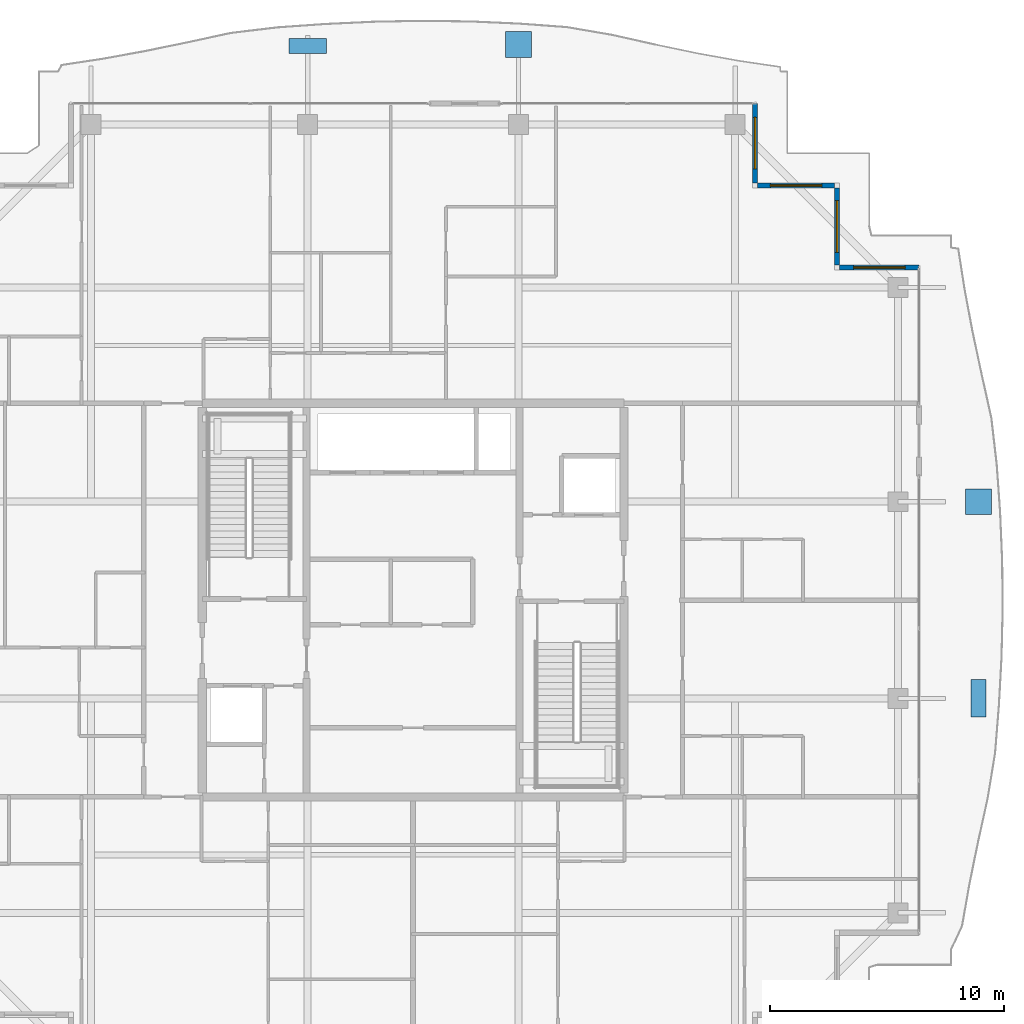
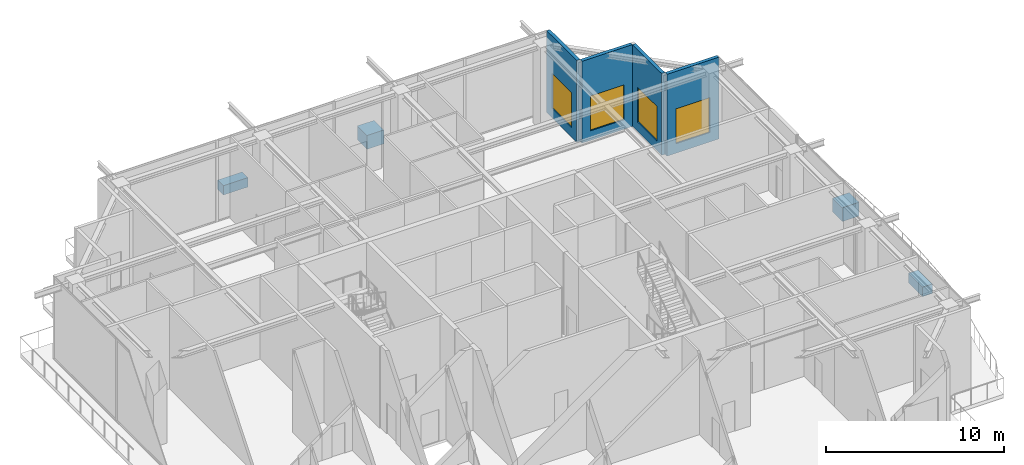
# One storey, part 31 of 40: 4 discrete accessories, 4 walls, 4 windows, 4 openings.
"""IFC4 building model written with IfcOpenShell, lengths in metres."""

from ifc_helpers import new_model, si_unit, direction, frame, frame_2d, origin, origin_2d, place, context, subcontext, project, spatial, rectangle, extrude, source, transform, mapped, material, layer, layer_set, type_object, element, fill, save


model = new_model("IFC4")

# Units and contexts
model_context = context("Model", 3, precision=1e-05, world=origin(), true_north=direction((0.0, 1.0)))
body_context = subcontext(model_context, "Body", "Model", "MODEL_VIEW")
ifc_project = project(units=[si_unit("LENGTHUNIT", "METRE"), si_unit("AREAUNIT", "SQUARE_METRE"), si_unit("VOLUMEUNIT", "CUBIC_METRE"), si_unit("PLANEANGLEUNIT", "RADIAN"), si_unit("MASSUNIT", "GRAM", prefix="KILO")], contexts=[model_context])

# Site, building, storey
site_placement = place(None, origin())
site = spatial("IfcSite", under=ifc_project, at=site_placement, CompositionType="ELEMENT")
building_placement = place(site_placement, origin())
building = spatial("IfcBuilding", under=site, at=building_placement, Name="Serunith Strait Residences", CompositionType="ELEMENT")
storey_placement = place(building_placement, frame((0.0, 0.0, 347.949951171875)))
storey = spatial("IfcBuildingStorey", under=building, at=storey_placement, Name="L86", CompositionType="ELEMENT", Elevation=347.949951171875)

# Wall, opening, window
ifc_material_1 = material(Name="Pale-Champagne Aluminium Insulated Panel", Category="aluminium")
ifc_layer = layer(ifc_material_1, 0.219970703125, Name="Pale-Champagne Aluminium Insulated Panel")
ifc_layer_set = layer_set([ifc_layer], Name="Pale-Champagne Aluminium Insulated Panel")
wall_type = type_object("IfcWallType", Name="EW-ALUM-220", PredefinedType="ELEMENTEDWALL", material=ifc_layer_set)
wall_1_placement = place(storey_placement, frame((54.0, 39.39990234375, 0.0), z_axis=(0.0, 0.0, 1.0), x_axis=(-1.0, 0.0, 0.0)))
wall_1 = element("IfcWall", 1, at=wall_1_placement, inside=storey, type_object=wall_type, Name="L86 Girih Serrated Corner Wall 07", PredefinedType="ELEMENTEDWALL", context=body_context, shape_type="SweptSolid", body=[
    extrude(rectangle(XDim=3.389892578125, YDim=0.219970703125, at=frame_2d((1.69482421875, 0.0))), origin(), (0.0, 0.0, 1.0), 5.625),
])
opening_1_placement = place(wall_1_placement, frame((0.594970703125, 0.0, 0.64990234375)))
opening_1 = element("IfcOpeningElement", 2, at=opening_1_placement, cuts=wall_1, Name="Opening W-06", PredefinedType="OPENING", context=body_context, shape_type="SweptSolid", body=[
    extrude(rectangle(XDim=2.199951171875, YDim=2.39990234375, at=frame_2d((1.10009765625, 1.199951171875))), frame((0.0, 0.1201171875, 0.0), z_axis=(0.0, -1.0, 0.0), x_axis=(1.0, 0.0, 0.0)), (0.0, 0.0, 1.0), 0.239990234375),
])
ifc_material_2 = material(Name="Crown Penthouse Low-E Operable Window Glass", Category="glass")
window_type = type_object("IfcWindowType", Name="WIN-C6", PartitioningType="TRIPLE_PANEL_VERTICAL", PredefinedType="WINDOW", material=ifc_material_2)
shared_shape_1 = source(origin(), body_context, "Body", "SweptSolid", [
    extrude(rectangle(XDim=2.199951171875, YDim=2.39990234375, at=frame_2d((1.10009765625, 1.199951171875))), frame((0.0, 0.030029296875, 0.0), z_axis=(0.0, -1.0, 0.0), x_axis=(1.0, 0.0, 0.0)), (0.0, 0.0, 1.0), 0.06005859375),
])
window_1_placement = place(opening_1_placement, origin())
window_1 = element("IfcWindow", 3, at=window_1_placement, inside=storey, type_object=window_type, Name="L86 Corner Operable Fritted Window 07", OverallHeight=2.39990234375, OverallWidth=2.199951171875, PartitioningType="SINGLE_PANEL", PredefinedType="WINDOW", context=body_context, shape_type="MappedRepresentation", body=[
    mapped(shared_shape_1, transform((0.0, 0.0, 0.0), scale=1.0)),
])
fill(opening_1, window_1)

wall_2_placement = place(storey_placement, frame((50.5, 39.510009765625, 0.0), z_axis=(0.0, 0.0, 1.0), x_axis=(0.0, 1.0, 0.0)))
wall_2 = element("IfcWall", 4, at=wall_2_placement, inside=storey, type_object=wall_type, Name="L86 Girih Serrated Corner Wall 08", PredefinedType="ELEMENTEDWALL", context=body_context, shape_type="SweptSolid", body=[
    extrude(rectangle(XDim=3.280029296875, YDim=0.219970703125, at=frame_2d((1.64013671875, 0.0))), origin(), (0.0, 0.0, 1.0), 5.625),
])
opening_2_placement = place(wall_2_placement, frame((0.5400390625, 0.0, 0.64990234375)))
opening_2 = element("IfcOpeningElement", 5, at=opening_2_placement, cuts=wall_2, Name="Opening W-06", PredefinedType="OPENING", context=body_context, shape_type="SweptSolid", body=[
    extrude(rectangle(XDim=2.199951171875, YDim=2.39990234375, at=frame_2d((1.10009765625, 1.199951171875))), frame((0.0, 0.1201171875, 0.0), z_axis=(0.0, -1.0, 0.0), x_axis=(1.0, 0.0, 0.0)), (0.0, 0.0, 1.0), 0.239990234375),
])
window_2_placement = place(opening_2_placement, origin())
window_2 = element("IfcWindow", 6, at=window_2_placement, inside=storey, type_object=window_type, Name="L86 Corner Operable Fritted Window 08", OverallHeight=2.39990234375, OverallWidth=2.199951171875, PartitioningType="SINGLE_PANEL", PredefinedType="WINDOW", context=body_context, shape_type="MappedRepresentation", body=[
    mapped(shared_shape_1, transform((0.0, 0.0, 0.0), scale=1.0)),
])
fill(opening_2, window_2)

wall_3_placement = place(storey_placement, frame((50.389892578125, 42.89990234375, 0.0), z_axis=(0.0, 0.0, 1.0), x_axis=(-1.0, 0.0, 0.0)))
wall_3 = element("IfcWall", 7, at=wall_3_placement, inside=storey, type_object=wall_type, Name="L86 Girih Serrated Corner Wall 09", PredefinedType="ELEMENTEDWALL", context=body_context, shape_type="SweptSolid", body=[
    extrude(rectangle(XDim=3.27978515625, YDim=0.219970703125, at=frame_2d((1.639892578125, 0.0))), origin(), (0.0, 0.0, 1.0), 5.625),
])
opening_3_placement = place(wall_3_placement, frame((0.5400390625, 0.0, 0.64990234375)))
opening_3 = element("IfcOpeningElement", 8, at=opening_3_placement, cuts=wall_3, Name="Opening W-06", PredefinedType="OPENING", context=body_context, shape_type="SweptSolid", body=[
    extrude(rectangle(XDim=2.199951171875, YDim=2.39990234375, at=frame_2d((1.10009765625, 1.199951171875))), frame((0.0, 0.1201171875, 0.0), z_axis=(0.0, -1.0, 0.0), x_axis=(1.0, 0.0, 0.0)), (0.0, 0.0, 1.0), 0.239990234375),
])
window_3_placement = place(opening_3_placement, origin())
window_3 = element("IfcWindow", 9, at=window_3_placement, inside=storey, type_object=window_type, Name="L86 Corner Operable Fritted Window 09", OverallHeight=2.39990234375, OverallWidth=2.199951171875, PartitioningType="SINGLE_PANEL", PredefinedType="WINDOW", context=body_context, shape_type="MappedRepresentation", body=[
    mapped(shared_shape_1, transform((0.0, 0.0, 0.0), scale=1.0)),
])
fill(opening_3, window_3)

wall_4_placement = place(storey_placement, frame((47.0, 43.010009765625, 0.0), z_axis=(0.0, 0.0, 1.0), x_axis=(0.0, 1.0, 0.0)))
wall_4 = element("IfcWall", 10, at=wall_4_placement, inside=storey, type_object=wall_type, Name="L86 Girih Serrated Corner Wall 10", PredefinedType="ELEMENTEDWALL", context=body_context, shape_type="SweptSolid", body=[
    extrude(rectangle(XDim=3.389892578125, YDim=0.219970703125, at=frame_2d((1.69482421875, 0.0))), origin(), (0.0, 0.0, 1.0), 5.625),
])
opening_4_placement = place(wall_4_placement, frame((0.594970703125, 0.0, 0.64990234375)))
opening_4 = element("IfcOpeningElement", 11, at=opening_4_placement, cuts=wall_4, Name="Opening W-06", PredefinedType="OPENING", context=body_context, shape_type="SweptSolid", body=[
    extrude(rectangle(XDim=2.199951171875, YDim=2.39990234375, at=frame_2d((1.10009765625, 1.199951171875))), frame((0.0, 0.1201171875, 0.0), z_axis=(0.0, -1.0, 0.0), x_axis=(1.0, 0.0, 0.0)), (0.0, 0.0, 1.0), 0.239990234375),
])
window_4_placement = place(opening_4_placement, origin())
window_4 = element("IfcWindow", 12, at=window_4_placement, inside=storey, type_object=window_type, Name="L86 Corner Operable Fritted Window 10", OverallHeight=2.39990234375, OverallWidth=2.199951171875, PartitioningType="SINGLE_PANEL", PredefinedType="WINDOW", context=body_context, shape_type="MappedRepresentation", body=[
    mapped(shared_shape_1, transform((0.0, 0.0, 0.0), scale=1.0)),
])
fill(opening_4, window_4)

# Discrete accessories
ifc_material_3 = material(Name="GFRC Root-Anchored Structural Planter")
discrete_accessory_type_1 = type_object("IfcDiscreteAccessoryType", Name="ACC-PLANTER-TREE", PredefinedType="USERDEFINED", material=ifc_material_3)
shared_shape_2 = source(origin(), body_context, "Body", "SweptSolid", [
    extrude(rectangle(XDim=1.10009765625, YDim=1.10009765625, at=origin_2d()), origin(), (0.0, 0.0, 1.0), 0.949951171875),
])
for number, where, z_axis, x_axis, name in (
    (13, (36.89990234375, 48.92431640625, -0.0498046875), (0.0, 0.0, 1.0), (-1.0, 0.0, 0.0), "L86 Vertical-Forest Tree Planter 07"),
    (14, (56.538330078125, 29.39990234375, -0.0498046875), (0.0, 0.0, 1.0), (0.0, 1.0, 0.0), "L86 Vertical-Forest Tree Planter 11"),
):
    element("IfcDiscreteAccessory", number, at=place(storey_placement, frame(where, z_axis=z_axis, x_axis=x_axis)), inside=storey, type_object=discrete_accessory_type_1, Name=name, ObjectType="PLANTER", PredefinedType="USERDEFINED", context=body_context, shape_type="MappedRepresentation", body=[
        mapped(shared_shape_2, transform((0.0, 0.0, 0.0), scale=1.0)),
    ])
ifc_material_4 = material(Name="GFRC Irrigated Shrub Trough Planter")
discrete_accessory_type_2 = type_object("IfcDiscreteAccessoryType", Name="ACC-PLANTER-SHRUB", PredefinedType="USERDEFINED", material=ifc_material_4)
shared_shape_3 = source(origin(), body_context, "Body", "SweptSolid", [
    extrude(rectangle(XDim=1.60009765625, YDim=0.64990234375, at=origin_2d()), origin(), (0.0, 0.0, 1.0), 0.64990234375),
])
for number, where, z_axis, x_axis, name in (
    (15, (27.89990234375, 48.85400390625, -0.0498046875), (0.0, 0.0, 1.0), (-1.0, 0.0, 0.0), "L86 Vertical-Forest Shrub Planter 06"),
    (16, (56.5341796875, 21.0, -0.0498046875), (0.0, 0.0, 1.0), (0.0, 1.0, 0.0), "L86 Vertical-Forest Shrub Planter 10"),
):
    element("IfcDiscreteAccessory", number, at=place(storey_placement, frame(where, z_axis=z_axis, x_axis=x_axis)), inside=storey, type_object=discrete_accessory_type_2, Name=name, ObjectType="PLANTER", PredefinedType="USERDEFINED", context=body_context, shape_type="MappedRepresentation", body=[
        mapped(shared_shape_3, transform((0.0, 0.0, 0.0), scale=1.0)),
    ])

save(model, "model.ifc")
